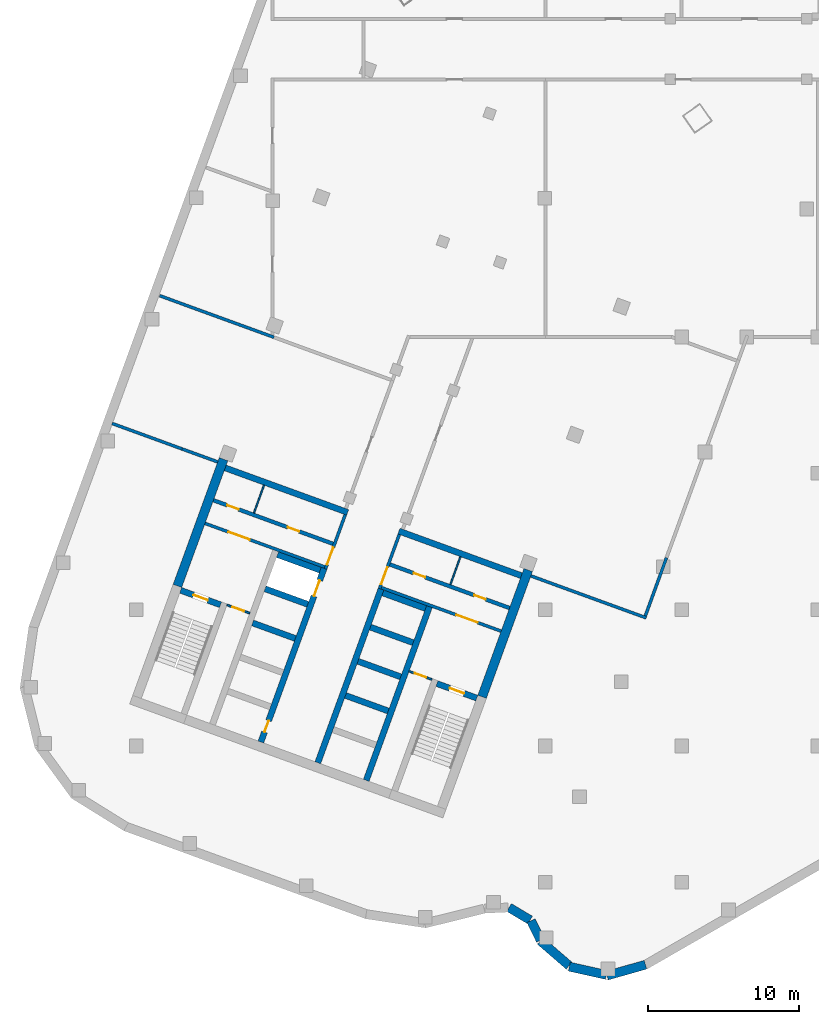
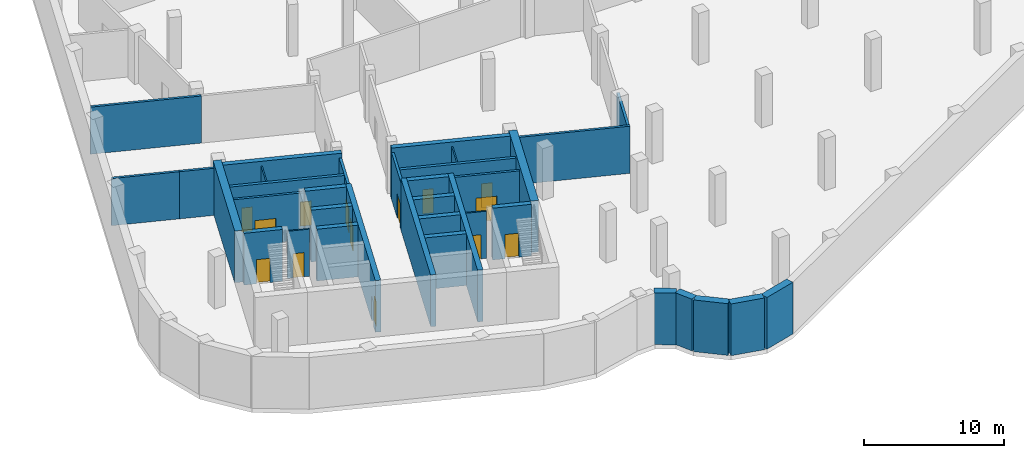
# One storey, part 3 of 16: 36 walls, 14 doors, 14 openings.
"""IFC4 building model written with IfcOpenShell, lengths in metres."""

import ifcopenshell
import ifcopenshell.guid

model = None  # the IFC model being written
_history = None  # IfcOwnerHistory: only IFC2X3 demands one
_inside = {}  # id of a spatial element -> (the spatial element, [elements in it])
_under = {}  # id of a project, library or spatial element -> (it, [spatial elements below it])
_declared = {}  # id of a project -> (the project, [libraries it declares])
_typed = {}  # id of a type object -> (the type object, [elements of that type])
_made_of = {}  # id of a material, layer set ... -> (it, [elements and type objects made of it])


def new_model(schema):
    """Start an empty IFC model of exactly this schema.

    Asked for "IFC4X3", IfcOpenShell would pick the latest addendum, in which some entities
    have other attributes; the version numbers below select the first issue.
    IFC2X3 requires an IfcOwnerHistory on every rooted entity: one is made here for all.
    """
    global model, _history
    if schema == "IFC4X3":
        model = ifcopenshell.file(schema_version=(4, 3, 0, 0))
    else:
        model = ifcopenshell.file(schema=schema)
    _inside.clear()
    _under.clear()
    _declared.clear()
    _typed.clear()
    _made_of.clear()
    _history = None
    if model.schema == "IFC2X3":
        org = make("IfcOrganization", Name="unknown")
        user = make(
            "IfcPersonAndOrganization",
            ThePerson=make("IfcPerson", FamilyName="unknown"),
            TheOrganization=org,
        )
        app = make(
            "IfcApplication",
            ApplicationDeveloper=org,
            Version="unknown",
            ApplicationFullName="unknown",
            ApplicationIdentifier="unknown",
        )
        _history = make(
            "IfcOwnerHistory",
            OwningUser=user,
            OwningApplication=app,
            ChangeAction="ADDED",
            CreationDate=0,
        )
    return model


def make(cls, **values):
    """One entity of the class cls with the attributes given. An attribute that is None is left unset."""
    return model.create_entity(
        cls, **{name: value for name, value in values.items() if value is not None}
    )


def rooted(cls, **values):
    """An entity with a GlobalId (a new one), such as an element, a storey or a relation."""
    return make(cls, GlobalId=ifcopenshell.guid.new(), OwnerHistory=_history, **values)


def si_unit(unit_type, name, prefix=None):
    """IfcSIUnit, for example si_unit("LENGTHUNIT", "METRE", prefix="MILLI")."""
    return make("IfcSIUnit", UnitType=unit_type, Prefix=prefix, Name=name)


def assignment(units):
    """IfcUnitAssignment: the units of a project."""
    return None if units is None else make("IfcUnitAssignment", Units=units)


def point(xyz):
    """IfcCartesianPoint."""
    return None if xyz is None else make("IfcCartesianPoint", Coordinates=xyz)


def direction(xyz):
    """IfcDirection."""
    return None if xyz is None else make("IfcDirection", DirectionRatios=xyz)


def frame(location, z_axis=None, x_axis=None):
    """IfcAxis2Placement3D, a coordinate frame: its origin and axes. An axis left out is left unset."""
    return make(
        "IfcAxis2Placement3D",
        Location=point(location),
        Axis=direction(z_axis),
        RefDirection=direction(x_axis),
    )


def frame_2d(location, x_axis=None):
    """IfcAxis2Placement2D, a coordinate frame in the plane: its origin and x axis."""
    return make(
        "IfcAxis2Placement2D", Location=point(location), RefDirection=direction(x_axis)
    )


def origin():
    """The frame at (0, 0, 0) with its axes left unset."""
    return frame((0.0, 0.0, 0.0))


def place(relative_to, where):
    """IfcLocalPlacement: puts the frame where relative to a parent placement (None: the world)."""
    return make(
        "IfcLocalPlacement", PlacementRelTo=relative_to, RelativePlacement=where
    )


def context(
    kind, dimensions, precision=None, world=None, true_north=None, identifier=None
):
    """IfcGeometricRepresentationContext, for example the 3D "Model" context."""
    return make(
        "IfcGeometricRepresentationContext",
        ContextIdentifier=identifier,
        ContextType=kind,
        CoordinateSpaceDimension=dimensions,
        Precision=precision,
        WorldCoordinateSystem=world,
        TrueNorth=true_north,
    )


def subcontext(parent, identifier, kind, view, scale=None):
    """IfcGeometricRepresentationSubContext, for example "Body" below "Model"."""
    return make(
        "IfcGeometricRepresentationSubContext",
        ContextIdentifier=identifier,
        ContextType=kind,
        ParentContext=parent,
        TargetScale=scale,
        TargetView=view,
    )


def project(units=None, contexts=None):
    """IfcProject with its units and contexts."""
    return rooted(
        "IfcProject",
        Name="project",
        RepresentationContexts=contexts,
        UnitsInContext=assignment(units),
    )


def spatial(cls, under=None, at=None, **own):
    """A site, building, storey or space (cls), placed at a placement, below another one or the project."""
    s = rooted(cls, ObjectPlacement=at, **own)
    if under is not None:
        _under.setdefault(under.id(), (under, []))[1].append(s)
    return s


def profile(cls, at=None, kind="AREA", **sizes):
    """A parametric profile (cls). Its sizes go by their IFC names, for example OverallWidth=200.0."""
    return make(cls, ProfileType=kind, Position=at, **sizes)


def rectangle(**sizes):
    """IfcRectangleProfileDef."""
    return profile("IfcRectangleProfileDef", **sizes)


def extrude(swept, where, along, depth):
    """IfcExtrudedAreaSolid: the profile swept, set in the frame where, extruded along a direction by depth."""
    return make(
        "IfcExtrudedAreaSolid",
        SweptArea=swept,
        Position=where,
        ExtrudedDirection=direction(along),
        Depth=depth,
    )


def shape(context_of_items, identifier, shape_type, items):
    """IfcShapeRepresentation: the items that make up one representation, for example the "Body"."""
    return make(
        "IfcShapeRepresentation",
        ContextOfItems=context_of_items,
        RepresentationIdentifier=identifier,
        RepresentationType=shape_type,
        Items=items,
    )


def material(Name=None, Category=None):
    """IfcMaterial."""
    return make("IfcMaterial", Name=Name, Category=Category)


def layer(
    of_material, thickness, ventilated=None, Name=None, Category=None, Priority=None
):
    """IfcMaterialLayer: one layer of a wall or slab, of a material (None: an air gap)."""
    return make(
        "IfcMaterialLayer",
        Material=of_material,
        LayerThickness=thickness,
        IsVentilated=ventilated,
        Name=Name,
        Category=Category,
        Priority=Priority,
    )


def layer_set(layers, Name=None):
    """IfcMaterialLayerSet."""
    return make("IfcMaterialLayerSet", MaterialLayers=layers, LayerSetName=Name)


def made_of(thing, what):
    """Note that an element or type object is made of a material, layer set ...; save() writes the relation."""
    if what is not None:
        _made_of.setdefault(what.id(), (what, []))[1].append(thing)
    return thing


def type_object(cls, material=None, **own):
    """A type object (cls), such as IfcWallType, which elements share."""
    return made_of(rooted(cls, **own), material)


def element(
    cls,
    number,
    at=None,
    inside=None,
    cuts=None,
    type_object=None,
    material=None,
    context=None,
    identifier="Body",
    shape_type=None,
    held_by="IfcProductDefinitionShape",
    body=None,
    shapes=None,
    **own,
):
    """One element of the class cls, such as IfcWall. Its Tag is "e" and its number.

    at: its placement. inside: the storey or other place that contains it. cuts: it is an
    opening in that element (IfcRelVoidsElement). A single representation is given by context,
    identifier, shape_type and body (its items); several are given by shapes. held_by: the class
    of the entity that holds the representations. save() writes the other relations.
    """
    e = rooted(cls, Tag="e%d" % number, ObjectPlacement=at, **own)
    if body is not None:
        shapes = [shape(context, identifier, shape_type, body)]
    if shapes is not None:
        e.Representation = make(held_by, Representations=shapes)
    if inside is not None:
        _inside.setdefault(inside.id(), (inside, []))[1].append(e)
    if cuts is not None:
        rooted(
            "IfcRelVoidsElement", RelatingBuildingElement=cuts, RelatedOpeningElement=e
        )
    if type_object is not None:
        _typed.setdefault(type_object.id(), (type_object, []))[1].append(e)
    return made_of(e, material)


def fill(opening, filler):
    """IfcRelFillsElement: the door or window that sits in an opening."""
    return rooted(
        "IfcRelFillsElement",
        RelatingOpeningElement=opening,
        RelatedBuildingElement=filler,
    )


def aggregate(whole, parts):
    """IfcRelAggregates: a whole, such as a stair, and the parts it consists of."""
    return rooted("IfcRelAggregates", RelatingObject=whole, RelatedObjects=parts)


def save(model, path):
    """Write the relations noted so far, then the file.

    IfcRelAggregates (storeys below a building ...), IfcRelContainedInSpatialStructure (elements
    in a storey), IfcRelDefinesByType, IfcRelAssociatesMaterial and IfcRelDeclares: one each for
    every whole, place, type object, material and project.
    """
    for whole, parts in _under.values():
        aggregate(whole, parts)
    for where, things in _inside.values():
        rooted(
            "IfcRelContainedInSpatialStructure",
            RelatedElements=things,
            RelatingStructure=where,
        )
    for kind, things in _typed.values():
        rooted("IfcRelDefinesByType", RelatedObjects=things, RelatingType=kind)
    for what, things in _made_of.values():
        rooted("IfcRelAssociatesMaterial", RelatedObjects=things, RelatingMaterial=what)
    for by, libraries in _declared.values():
        rooted("IfcRelDeclares", RelatingContext=by, RelatedDefinitions=libraries)
    model.write(path)


model = new_model("IFC4")

# Units and contexts
model_context = context("Model", 3, precision=1e-05, world=origin(), true_north=direction((0.0, 1.0)))
body_context = subcontext(model_context, "Body", "Model", "MODEL_VIEW")
ifc_project = project(units=[si_unit("LENGTHUNIT", "METRE"), si_unit("AREAUNIT", "SQUARE_METRE"), si_unit("VOLUMEUNIT", "CUBIC_METRE"), si_unit("PLANEANGLEUNIT", "RADIAN"), si_unit("MASSUNIT", "GRAM", prefix="KILO")], contexts=[model_context])

# Site, building, storey
site_placement = place(None, origin())
site = spatial("IfcSite", under=ifc_project, at=site_placement, CompositionType="ELEMENT")
building_placement = place(site_placement, origin())
building = spatial("IfcBuilding", under=site, at=building_placement, Name="Skarvind Civic Tower", CompositionType="ELEMENT")
storey_placement = place(building_placement, frame((0.0, 0.0, -4.5)))
storey = spatial("IfcBuildingStorey", under=building, at=storey_placement, Name="B1", CompositionType="ELEMENT", Elevation=-4.5)

# Walls
ifc_material_1 = material(Name="Concrete C40", Category="concrete")
ifc_layer_1 = layer(ifc_material_1, 0.60009765625)
ifc_layer_set_1 = layer_set([ifc_layer_1], Name="Basement retaining wall 600 C40")
wall_type_1 = type_object("IfcWallType", Name="Basement retaining wall 600 C40", PredefinedType="SHEAR", material=ifc_layer_set_1)
wall_1_placement = place(storey_placement, frame((52.61181640625, 67.563232421875, 0.0), z_axis=(0.0, 0.0, 1.0), x_axis=(-0.962094751735, -0.272715398693, 0.0)))
element("IfcWall", 1, at=wall_1_placement, inside=storey, type_object=wall_type_1, Name="Basement retaining wall B1 1", PredefinedType="SHEAR", context=body_context, shape_type="SweptSolid", body=[
    extrude(rectangle(XDim=2.63720703125, YDim=0.60009765625, at=frame_2d((1.318603515625, 0.0))), origin(), (0.0, 0.0, 1.0), 4.5),
])
for number, where, z_axis, x_axis, name in (
    (2, (50.026123046875, 66.891845703125, 0.0), (0.0, 0.0, 1.0), (-0.976164051625, 0.217033970416, 0.0), "Basement retaining wall B1 2"),
    (3, (47.568603515625, 67.498779296875, 0.0), (0.0, 0.0, 1.0), (-0.755795518898, 0.654807707357, 0.0), "Basement retaining wall B1 3"),
):
    element("IfcWall", number, at=place(storey_placement, frame(where, z_axis=z_axis, x_axis=x_axis)), inside=storey, type_object=wall_type_1, Name=name, PredefinedType="SHEAR", context=body_context, shape_type="SweptSolid", body=[
        extrude(rectangle(XDim=2.497314453125, YDim=0.60009765625, at=frame_2d((1.24853515625, 0.0))), origin(), (0.0, 0.0, 1.0), 4.5),
    ])
wall_2_placement = place(storey_placement, frame((45.689208984375, 69.1728515625, 0.0), z_axis=(0.0, 0.0, 1.0), x_axis=(-0.435706421579, 0.900088836835, 0.0)))
element("IfcWall", 4, at=wall_2_placement, inside=storey, type_object=wall_type_1, Name="Basement retaining wall B1 4", PredefinedType="SHEAR", context=body_context, shape_type="SweptSolid", body=[
    extrude(rectangle(XDim=1.447265625, YDim=0.60009765625, at=frame_2d((0.7236328125, 0.0))), origin(), (0.0, 0.0, 1.0), 4.5),
])
wall_3_placement = place(storey_placement, frame((44.998291015625, 70.511474609375, 0.0), z_axis=(0.0, 0.0, 1.0), x_axis=(-0.859405023985, 0.511295418275, 0.0)))
element("IfcWall", 5, at=wall_3_placement, inside=storey, type_object=wall_type_1, Name="Basement retaining wall B1 5", PredefinedType="SHEAR", context=body_context, shape_type="SweptSolid", body=[
    extrude(rectangle(XDim=1.6171875, YDim=0.60009765625, at=frame_2d((0.80859375, 0.0))), origin(), (0.0, 0.0, 1.0), 4.5),
])

# Wall, opening, door
ifc_material_2 = material(Name="Fire-rated masonry partition", Category="masonry")
ifc_layer_2 = layer(ifc_material_2, 0.199951171875)
ifc_layer_set_2 = layer_set([ifc_layer_2], Name="Core enclosure wall 200")
wall_type_2 = type_object("IfcWallType", Name="Core enclosure wall 200", PredefinedType="PARTITIONING", material=ifc_layer_set_2)
wall_4_placement = place(storey_placement, frame((31.491455078125, 93.693359375, 0.0), z_axis=(0.0, 0.0, 1.0), x_axis=(0.341995824804, 0.939701471648, 0.0)))
wall_4 = element("IfcWall", 6, at=wall_4_placement, inside=storey, type_object=wall_type_2, Name="Core wall C2", PredefinedType="PARTITIONING", context=body_context, shape_type="SweptSolid", body=[
    extrude(rectangle(XDim=3.800048828125, YDim=0.199951171875, at=frame_2d((1.89990234375, 0.0))), origin(), (0.0, 0.0, 1.0), 4.10009765625),
])
opening_1_placement = place(wall_4_placement, frame((0.300048828125, 0.0, 0.0)))
opening_1 = element("IfcOpeningElement", 7, at=opening_1_placement, cuts=wall_4, Name="Opening D-B1-C2-03", PredefinedType="OPENING", context=body_context, shape_type="SweptSolid", body=[
    extrude(rectangle(XDim=1.199951171875, YDim=2.10009765625, at=frame_2d((0.60009765625, 1.050048828125))), frame((0.0, 0.10986328125, 0.0), z_axis=(0.0, -1.0, 0.0), x_axis=(1.0, 0.0, 0.0)), (0.0, 0.0, 1.0), 0.219970703125),
])
ifc_material_3 = material(Name="Fire-rated steel door", Category="steel")
door_type_1 = type_object("IfcDoorType", Name="Core lobby door 1200", OperationType="NOTDEFINED", PredefinedType="DOOR", material=ifc_material_3)
door_1_placement = place(opening_1_placement, origin())
door_1 = element("IfcDoor", 8, at=door_1_placement, inside=storey, type_object=door_type_1, Name="Fire door", OperationType="DOUBLE_DOOR_SINGLE_SWING", OverallHeight=2.10009765625, OverallWidth=1.199951171875, PredefinedType="DOOR", context=body_context, shape_type="SweptSolid", body=[
    extrude(rectangle(XDim=1.199951171875, YDim=2.10009765625, at=frame_2d((0.60009765625, 1.050048828125))), frame((0.0, 0.02490234375, 0.0), z_axis=(0.0, -1.0, 0.0), x_axis=(1.0, 0.0, 0.0)), (0.0, 0.0, 1.0), 0.050048828125),
])
fill(opening_1, door_1)

wall_5_placement = place(storey_placement, frame((23.5380859375, 96.6943359375, 0.0), z_axis=(0.0, 0.0, 1.0), x_axis=(0.939691552312, -0.342023078919, 0.0)))
wall_5 = element("IfcWall", 9, at=wall_5_placement, inside=storey, type_object=wall_type_2, Name="Core wall C2", PredefinedType="PARTITIONING", context=body_context, shape_type="SweptSolid", body=[
    extrude(rectangle(XDim=8.400146484375, YDim=0.199951171875, at=frame_2d((4.2001953125, 0.0))), origin(), (0.0, 0.0, 1.0), 4.10009765625),
])
opening_2_placement = place(wall_5_placement, frame((1.64990234375, 0.0, 0.0)))
opening_2 = element("IfcOpeningElement", 10, at=opening_2_placement, cuts=wall_5, Name="Opening D-B1-C2-04", PredefinedType="OPENING", context=body_context, shape_type="SweptSolid", body=[
    extrude(rectangle(XDim=1.5, YDim=2.10009765625, at=frame_2d((0.75, 1.050048828125))), frame((0.0, 0.10986328125, 0.0), z_axis=(0.0, -1.0, 0.0), x_axis=(1.0, 0.0, 0.0)), (0.0, 0.0, 1.0), 0.219970703125),
])
door_type_2 = type_object("IfcDoorType", Name="Fire door 1500", OperationType="NOTDEFINED", PredefinedType="DOOR", material=ifc_material_3)
door_2_placement = place(opening_2_placement, origin())
door_2 = element("IfcDoor", 11, at=door_2_placement, inside=storey, type_object=door_type_2, Name="Fire door", OperationType="DOUBLE_DOOR_SINGLE_SWING", OverallHeight=2.10009765625, OverallWidth=1.5, PredefinedType="DOOR", context=body_context, shape_type="SweptSolid", body=[
    extrude(rectangle(XDim=1.5, YDim=2.10009765625, at=frame_2d((0.75, 1.050048828125))), frame((0.0, 0.02490234375, 0.0), z_axis=(0.0, -1.0, 0.0), x_axis=(1.0, 0.0, 0.0)), (0.0, 0.0, 1.0), 0.050048828125),
])
fill(opening_2, door_2)

wall_6_placement = place(storey_placement, frame((36.36181640625, 95.96435546875, 0.0), z_axis=(0.0, 0.0, 1.0), x_axis=(-0.341995824804, -0.939701471648, 0.0)))
wall_6 = element("IfcWall", 12, at=wall_6_placement, inside=storey, type_object=wall_type_2, Name="Core wall C2", PredefinedType="PARTITIONING", context=body_context, shape_type="SweptSolid", body=[
    extrude(rectangle(XDim=3.800048828125, YDim=0.199951171875, at=frame_2d((1.89990234375, 0.0))), origin(), (0.0, 0.0, 1.0), 4.10009765625),
])
opening_3_placement = place(wall_6_placement, frame((2.300048828125, 0.0, 0.0)))
opening_3 = element("IfcOpeningElement", 13, at=opening_3_placement, cuts=wall_6, Name="Opening D-B1-C2-09", PredefinedType="OPENING", context=body_context, shape_type="SweptSolid", body=[
    extrude(rectangle(XDim=1.199951171875, YDim=2.10009765625, at=frame_2d((0.60009765625, 1.050048828125))), frame((0.0, 0.10986328125, 0.0), z_axis=(0.0, -1.0, 0.0), x_axis=(1.0, 0.0, 0.0)), (0.0, 0.0, 1.0), 0.219970703125),
])
door_3_placement = place(opening_3_placement, origin())
door_3 = element("IfcDoor", 14, at=door_3_placement, inside=storey, type_object=door_type_1, Name="Fire door", OperationType="DOUBLE_DOOR_SINGLE_SWING", OverallHeight=2.10009765625, OverallWidth=1.199951171875, PredefinedType="DOOR", context=body_context, shape_type="SweptSolid", body=[
    extrude(rectangle(XDim=1.199951171875, YDim=2.10009765625, at=frame_2d((0.60009765625, 1.050048828125))), frame((0.0, 0.02490234375, 0.0), z_axis=(0.0, -1.0, 0.0), x_axis=(1.0, 0.0, 0.0)), (0.0, 0.0, 1.0), 0.050048828125),
])
fill(opening_3, door_3)

wall_7_placement = place(storey_placement, frame((35.1904296875, 92.453369140625, 0.0), z_axis=(0.0, 0.0, 1.0), x_axis=(0.939691552312, -0.342023078919, 0.0)))
wall_7 = element("IfcWall", 15, at=wall_7_placement, inside=storey, type_object=wall_type_2, Name="Core wall C2", PredefinedType="PARTITIONING", context=body_context, shape_type="SweptSolid", body=[
    extrude(rectangle(XDim=8.400146484375, YDim=0.199951171875, at=frame_2d((4.2001953125, 0.0))), origin(), (0.0, 0.0, 1.0), 4.10009765625),
])
opening_4_placement = place(wall_7_placement, frame((5.25, 0.0, 0.0)))
opening_4 = element("IfcOpeningElement", 16, at=opening_4_placement, cuts=wall_7, Name="Opening D-B1-C2-10", PredefinedType="OPENING", context=body_context, shape_type="SweptSolid", body=[
    extrude(rectangle(XDim=1.5, YDim=2.10009765625, at=frame_2d((0.75, 1.050048828125))), frame((0.0, 0.10986328125, 0.0), z_axis=(0.0, -1.0, 0.0), x_axis=(1.0, 0.0, 0.0)), (0.0, 0.0, 1.0), 0.219970703125),
])
door_4_placement = place(opening_4_placement, origin())
door_4 = element("IfcDoor", 17, at=door_4_placement, inside=storey, type_object=door_type_2, Name="Fire door", OperationType="DOUBLE_DOOR_SINGLE_SWING", OverallHeight=2.10009765625, OverallWidth=1.5, PredefinedType="DOOR", context=body_context, shape_type="SweptSolid", body=[
    extrude(rectangle(XDim=1.5, YDim=2.10009765625, at=frame_2d((0.75, 1.050048828125))), frame((0.0, 0.02490234375, 0.0), z_axis=(0.0, -1.0, 0.0), x_axis=(1.0, 0.0, 0.0)), (0.0, 0.0, 1.0), 0.050048828125),
])
fill(opening_4, door_4)

# Walls
ifc_material_4 = material(Name="Fire-rated plasterboard partition")
ifc_layer_3 = layer(ifc_material_4, 0.10009765625)
ifc_layer_set_3 = layer_set([ifc_layer_3], Name="Core partition wall 100")
wall_type_3 = type_object("IfcWallType", Name="Core partition wall 100", PredefinedType="PARTITIONING", material=ifc_layer_set_3)
wall_8_placement = place(storey_placement, frame((26.767822265625, 97.381103515625, 0.0), z_axis=(0.0, 0.0, 1.0), x_axis=(0.342024501273, 0.939691034611, 0.0)))
element("IfcWall", 18, at=wall_8_placement, inside=storey, type_object=wall_type_3, Name="Core wall C2", PredefinedType="PARTITIONING", context=body_context, shape_type="SweptSolid", body=[
    extrude(rectangle(XDim=1.9501953125, YDim=0.10009765625, at=frame_2d((0.97509765625, 0.0))), origin(), (0.0, 0.0, 1.0), 4.10009765625),
])
wall_9_placement = place(storey_placement, frame((40.402587890625, 94.49365234375, 0.0), z_axis=(0.0, 0.0, 1.0), x_axis=(-0.342064742067, -0.939676386973, 0.0)))
element("IfcWall", 19, at=wall_9_placement, inside=storey, type_object=wall_type_3, Name="Core wall C2", PredefinedType="PARTITIONING", context=body_context, shape_type="SweptSolid", body=[
    extrude(rectangle(XDim=1.949951171875, YDim=0.10009765625, at=frame_2d((0.97509765625, 0.0))), origin(), (0.0, 0.0, 1.0), 4.10009765625),
])

# Wall, opening, door
ifc_material_5 = material(Name="Concrete C80", Category="concrete")
ifc_layer_4 = layer(ifc_material_5, 0.39990234375)
ifc_layer_set_4 = layer_set([ifc_layer_4], Name="Core wall 400 C80")
wall_type_4 = type_object("IfcWallType", Name="Core wall 400 C80", PredefinedType="SHEAR", material=ifc_layer_set_4)
wall_10_placement = place(storey_placement, frame((41.476318359375, 85.163818359375, 0.0), z_axis=(0.0, 0.0, 1.0), x_axis=(-0.939678810556, 0.342058084236, 0.0)))
wall_10 = element("IfcWall", 20, at=wall_10_placement, inside=storey, type_object=wall_type_4, Name="Core wall C2 south stair end B1", PredefinedType="SHEAR", context=body_context, shape_type="SweptSolid", body=[
    extrude(rectangle(XDim=2.800048828125, YDim=0.39990234375, at=frame_2d((1.39990234375, 0.0))), origin(), (0.0, 0.0, 1.0), 4.5),
])
opening_5_placement = place(wall_10_placement, frame((0.89990234375, 0.0, 0.0)))
opening_5 = element("IfcOpeningElement", 21, at=opening_5_placement, cuts=wall_10, Name="Opening D-B1-C2-11", PredefinedType="OPENING", context=body_context, shape_type="SweptSolid", body=[
    extrude(rectangle(XDim=1.0, YDim=2.10009765625, at=frame_2d((0.5, 1.050048828125))), frame((0.0, 0.2099609375, 0.0), z_axis=(0.0, -1.0, 0.0), x_axis=(1.0, 0.0, 0.0)), (0.0, 0.0, 1.0), 0.419921875),
])
door_type_3 = type_object("IfcDoorType", Name="Fire door 1000", OperationType="NOTDEFINED", PredefinedType="DOOR", material=ifc_material_3)
door_5_placement = place(opening_5_placement, origin())
door_5 = element("IfcDoor", 22, at=door_5_placement, inside=storey, type_object=door_type_3, Name="Fire door", OperationType="SINGLE_SWING_RIGHT", OverallHeight=2.10009765625, OverallWidth=1.0, PredefinedType="DOOR", context=body_context, shape_type="SweptSolid", body=[
    extrude(rectangle(XDim=1.0, YDim=2.10009765625, at=frame_2d((0.5, 1.050048828125))), frame((0.0, 0.02490234375, 0.0), z_axis=(0.0, -1.0, 0.0), x_axis=(1.0, 0.0, 0.0)), (0.0, 0.0, 1.0), 0.050048828125),
])
fill(opening_5, door_5)

wall_11_placement = place(storey_placement, frame((24.56201171875, 91.3203125, 0.0), z_axis=(0.0, 0.0, 1.0), x_axis=(-0.939717030584, 0.341953070509, 0.0)))
wall_11 = element("IfcWall", 23, at=wall_11_placement, inside=storey, type_object=wall_type_4, Name="Core wall C2 north stair end B1", PredefinedType="SHEAR", context=body_context, shape_type="SweptSolid", body=[
    extrude(rectangle(XDim=2.800048828125, YDim=0.39990234375, at=frame_2d((1.39990234375, 0.0))), origin(), (0.0, 0.0, 1.0), 4.5),
])
opening_6_placement = place(wall_11_placement, frame((0.89990234375, 0.0, 0.0)))
opening_6 = element("IfcOpeningElement", 24, at=opening_6_placement, cuts=wall_11, Name="Opening D-B1-C2-05", PredefinedType="OPENING", context=body_context, shape_type="SweptSolid", body=[
    extrude(rectangle(XDim=1.0, YDim=2.10009765625, at=frame_2d((0.5, 1.050048828125))), frame((0.0, 0.2099609375, 0.0), z_axis=(0.0, -1.0, 0.0), x_axis=(1.0, 0.0, 0.0)), (0.0, 0.0, 1.0), 0.419921875),
])
door_6_placement = place(opening_6_placement, origin())
door_6 = element("IfcDoor", 25, at=door_6_placement, inside=storey, type_object=door_type_3, Name="Fire door", OperationType="SINGLE_SWING_LEFT", OverallHeight=2.10009765625, OverallWidth=1.0, PredefinedType="DOOR", context=body_context, shape_type="SweptSolid", body=[
    extrude(rectangle(XDim=1.0, YDim=2.10009765625, at=frame_2d((0.5, 1.050048828125))), frame((0.0, 0.02490234375, 0.0), z_axis=(0.0, -1.0, 0.0), x_axis=(1.0, 0.0, 0.0)), (0.0, 0.0, 1.0), 0.050048828125),
])
fill(opening_6, door_6)

# Walls
wall_12_placement = place(storey_placement, frame((30.983642578125, 80.895263671875, 0.0), z_axis=(0.0, 0.0, 1.0), x_axis=(0.342021021735, 0.939692301071, 0.0)))
element("IfcWall", 26, at=wall_12_placement, inside=storey, type_object=wall_type_4, Name="Core wall C2 south lift row front B1", PredefinedType="SHEAR", context=body_context, shape_type="SweptSolid", body=[
    extrude(rectangle(XDim=12.199951171875, YDim=0.39990234375, at=frame_2d((6.10009765625, 0.0))), origin(), (0.0, 0.0, 1.0), 4.5),
])
wall_13_placement = place(storey_placement, frame((34.178466796875, 79.732177734375, 0.0), z_axis=(0.0, 0.0, 1.0), x_axis=(0.342014590177, 0.939694641948, 0.0)))
element("IfcWall", 27, at=wall_13_placement, inside=storey, type_object=wall_type_4, Name="Core wall C2 south lift row back B1", PredefinedType="SHEAR", context=body_context, shape_type="SweptSolid", body=[
    extrude(rectangle(XDim=12.2001953125, YDim=0.39990234375, at=frame_2d((6.10009765625, 0.0))), origin(), (0.0, 0.0, 1.0), 4.5),
])
for number, where, z_axis, x_axis, name in (
    (28, (35.63232421875, 84.311279296875, 0.0), (0.0, 0.0, 1.0), (-0.939712609717, 0.341965219194, 0.0), "Core wall C2 south lift row division 2 B1"),
    (29, (36.453125, 86.56640625, 0.0), (0.0, 0.0, 1.0), (-0.939686455819, 0.342037080957, 0.0), "Core wall C2 south lift row division 3 B1"),
    (30, (37.27392578125, 88.82177734375, 0.0), (0.0, 0.0, 1.0), (-0.939686455819, 0.342037080957, 0.0), "Core wall C2 south lift row division 4 B1"),
):
    element("IfcWall", number, at=place(storey_placement, frame(where, z_axis=z_axis, x_axis=x_axis)), inside=storey, type_object=wall_type_4, Name=name, PredefinedType="SHEAR", context=body_context, shape_type="SweptSolid", body=[
        extrude(rectangle(XDim=3.0, YDim=0.39990234375, at=frame_2d((1.5, 0.0))), origin(), (0.0, 0.0, 1.0), 4.5),
    ])
wall_14_placement = place(storey_placement, frame((38.0947265625, 91.076904296875, 0.0), z_axis=(0.0, 0.0, 1.0), x_axis=(-0.939676934218, 0.342063238742, 0.0)))
element("IfcWall", 31, at=wall_14_placement, inside=storey, type_object=wall_type_4, Name="Core wall C2 south lift row division 5 B1", PredefinedType="SHEAR", context=body_context, shape_type="SweptSolid", body=[
    extrude(rectangle(XDim=2.999755859375, YDim=0.39990234375, at=frame_2d((1.5, 0.0))), origin(), (0.0, 0.0, 1.0), 4.5),
])

# Wall, openings, doors
wall_15_placement = place(storey_placement, frame((27.224853515625, 82.26318359375, 0.0), z_axis=(0.0, 0.0, 1.0), x_axis=(0.342014590177, 0.939694641948, 0.0)))
wall_15 = element("IfcWall", 32, at=wall_15_placement, inside=storey, type_object=wall_type_4, Name="Core wall C2 north lift row front B1", PredefinedType="SHEAR", context=body_context, shape_type="SweptSolid", body=[
    extrude(rectangle(XDim=12.2001953125, YDim=0.39990234375, at=frame_2d((6.10009765625, 0.0))), origin(), (0.0, 0.0, 1.0), 4.5),
])
opening_7_placement = place(wall_15_placement, frame((10.25, 0.0, 0.0)))
opening_7 = element("IfcOpeningElement", 33, at=opening_7_placement, cuts=wall_15, Name="Opening LD01205", PredefinedType="OPENING", context=body_context, shape_type="SweptSolid", body=[
    extrude(rectangle(XDim=1.10009765625, YDim=2.10009765625, at=frame_2d((0.550048828125, 1.050048828125))), frame((0.0, 0.2099609375, 0.0), z_axis=(0.0, -1.0, 0.0), x_axis=(1.0, 0.0, 0.0)), (0.0, 0.0, 1.0), 0.419921875),
])
opening_8_placement = place(wall_15_placement, frame((0.699951171875, 0.0, 0.0)))
opening_8 = element("IfcOpeningElement", 34, at=opening_8_placement, cuts=wall_15, Name="Opening D-B1-C2-02", PredefinedType="OPENING", context=body_context, shape_type="SweptSolid", body=[
    extrude(rectangle(XDim=0.800048828125, YDim=2.10009765625, at=frame_2d((0.39990234375, 1.050048828125))), frame((0.0, 0.2099609375, 0.0), z_axis=(0.0, -1.0, 0.0), x_axis=(1.0, 0.0, 0.0)), (0.0, 0.0, 1.0), 0.419921875),
])
door_type_4 = type_object("IfcDoorType", Name="Core riser door 800", OperationType="NOTDEFINED", PredefinedType="DOOR", material=ifc_material_3)
door_7_placement = place(opening_8_placement, origin())
door_7 = element("IfcDoor", 35, at=door_7_placement, inside=storey, type_object=door_type_4, Name="Riser door", OperationType="SINGLE_SWING_LEFT", OverallHeight=2.10009765625, OverallWidth=0.800048828125, PredefinedType="DOOR", context=body_context, shape_type="SweptSolid", body=[
    extrude(rectangle(XDim=0.800048828125, YDim=2.10009765625, at=frame_2d((0.39990234375, 1.050048828125))), frame((0.0, 0.02490234375, 0.0), z_axis=(0.0, -1.0, 0.0), x_axis=(1.0, 0.0, 0.0)), (0.0, 0.0, 1.0), 0.050048828125),
])
fill(opening_8, door_7)
ifc_material_6 = material(Name="Stainless steel landing door", Category="steel")
door_type_5 = type_object("IfcDoorType", Name="Lift landing door 1100", OperationType="DOUBLE_DOOR_SLIDING", PredefinedType="DOOR", material=ifc_material_6)
door_8_placement = place(opening_7_placement, origin())
door_8 = element("IfcDoor", 36, at=door_8_placement, inside=storey, type_object=door_type_5, Name="Lift landing door", OperationType="DOUBLE_DOOR_SLIDING", OverallHeight=2.10009765625, OverallWidth=1.10009765625, PredefinedType="DOOR", context=body_context, shape_type="SweptSolid", body=[
    extrude(rectangle(XDim=1.10009765625, YDim=2.10009765625, at=frame_2d((0.550048828125, 1.050048828125))), frame((0.0, 0.02490234375, 0.0), z_axis=(0.0, -1.0, 0.0), x_axis=(1.0, 0.0, 0.0)), (0.0, 0.0, 1.0), 0.050048828125),
])
fill(opening_7, door_8)

# Walls
for number, where, z_axis, x_axis, name in (
    (37, (29.49951171875, 89.097412109375, 0.0), (0.0, 0.0, 1.0), (-0.939686455819, 0.342037080957, 0.0), "Core wall C2 north lift row division 3 B1"),
    (38, (30.3203125, 91.352783203125, 0.0), (0.0, 0.0, 1.0), (-0.939712609717, 0.341965219194, 0.0), "Core wall C2 north lift row division 4 B1"),
    (39, (31.14111328125, 93.60791015625, 0.0), (0.0, 0.0, 1.0), (-0.939686455819, 0.342037080957, 0.0), "Core wall C2 north lift row division 5 B1"),
):
    element("IfcWall", number, at=place(storey_placement, frame(where, z_axis=z_axis, x_axis=x_axis)), inside=storey, type_object=wall_type_4, Name=name, PredefinedType="SHEAR", context=body_context, shape_type="SweptSolid", body=[
        extrude(rectangle(XDim=3.0, YDim=0.39990234375, at=frame_2d((1.5, 0.0))), origin(), (0.0, 0.0, 1.0), 4.5),
    ])
for number, where, z_axis, x_axis, name in (
    (40, (44.417724609375, 93.2451171875, 0.0), (0.0, 0.0, 1.0), (-0.93969060187, 0.342025690201, 0.0), "Core wall C2 south inner face B1"),
    (41, (32.953369140625, 97.417724609375, 0.0), (0.0, 0.0, 1.0), (-0.93969060187, 0.342025690201, 0.0), "Core wall C2 north inner face B1"),
):
    element("IfcWall", number, at=place(storey_placement, frame(where, z_axis=z_axis, x_axis=x_axis)), inside=storey, type_object=wall_type_4, Name=name, PredefinedType="SHEAR", context=body_context, shape_type="SweptSolid", body=[
        extrude(rectangle(XDim=8.599853515625, YDim=0.39990234375, at=frame_2d((4.2998046875, 0.0))), origin(), (0.0, 0.0, 1.0), 4.5),
    ])
ifc_layer_5 = layer(ifc_material_5, 0.60009765625)
ifc_layer_set_5 = layer_set([ifc_layer_5], Name="Core wall 600 C80")
wall_type_5 = type_object("IfcWallType", Name="Core wall 600 C80", PredefinedType="SHEAR", material=ifc_layer_set_5)
for number, where, z_axis, x_axis, name in (
    (42, (41.82666015625, 85.249267578125, 0.0), (0.0, 0.0, 1.0), (0.342016162452, 0.939694069696, 0.0), "Core wall C2 south side B1"),
    (43, (21.71728515625, 92.568359375, 0.0), (0.0, 0.0, 1.0), (0.342016162452, 0.939694069696, 0.0), "Core wall C2 north side B1"),
):
    element("IfcWall", number, at=place(storey_placement, frame(where, z_axis=z_axis, x_axis=x_axis)), inside=storey, type_object=wall_type_5, Name=name, PredefinedType="SHEAR", context=body_context, shape_type="SweptSolid", body=[
        extrude(rectangle(XDim=8.89990234375, YDim=0.60009765625, at=frame_2d((4.449951171875, 0.0))), origin(), (0.0, 0.0, 1.0), 4.5),
    ])
ifc_material_7 = material(Name="Fire-rated blockwork wall, plastered", Category="masonry")
ifc_layer_6 = layer(ifc_material_7, 0.199951171875)
ifc_layer_set_6 = layer_set([ifc_layer_6], Name="FIRE WALL 200 EI 60")
wall_type_6 = type_object("IfcWallType", Name="FIRE WALL 200 EI 60", PredefinedType="PARTITIONING", material=ifc_layer_set_6)
wall_16_placement = place(storey_placement, frame((17.404052734375, 103.291015625, 0.0), z_axis=(0.0, 0.0, 1.0), x_axis=(0.939686182384, -0.342037832173, 0.0)))
element("IfcWall", 44, at=wall_16_placement, inside=storey, type_object=wall_type_6, Name="Basement partition B1 001", PredefinedType="PARTITIONING", context=body_context, shape_type="SweptSolid", body=[
    extrude(rectangle(XDim=4.9208984375, YDim=0.199951171875, at=frame_2d((2.46044921875, 0.0))), origin(), (0.0, 0.0, 1.0), 4.10009765625),
])
wall_17_placement = place(storey_placement, frame((20.548095703125, 111.72412109375, 0.0), z_axis=(0.0, 0.0, 1.0), x_axis=(0.939669089864, -0.342084787083, 0.0)))
element("IfcWall", 45, at=wall_17_placement, inside=storey, type_object=wall_type_6, Name="Basement partition B1 002", PredefinedType="PARTITIONING", context=body_context, shape_type="SweptSolid", body=[
    extrude(rectangle(XDim=8.0302734375, YDim=0.199951171875, at=frame_2d((4.01513671875, 0.0))), origin(), (0.0, 0.0, 1.0), 4.10009765625),
])
wall_18_placement = place(storey_placement, frame((22.028076171875, 101.60791015625, 0.0), z_axis=(0.0, 0.0, 1.0), x_axis=(0.939559396653, -0.342385952049, 0.0)))
element("IfcWall", 46, at=wall_18_placement, inside=storey, type_object=wall_type_6, Name="Basement partition B1 003", PredefinedType="PARTITIONING", context=body_context, shape_type="SweptSolid", body=[
    extrude(rectangle(XDim=2.5, YDim=0.199951171875, at=frame_2d((1.25, 0.0))), origin(), (0.0, 0.0, 1.0), 4.10009765625),
])
wall_19_placement = place(storey_placement, frame((45.050048828125, 93.22802734375, 0.0), z_axis=(0.0, 0.0, 1.0), x_axis=(0.939696574218, -0.342009281166, 0.0)))
element("IfcWall", 47, at=wall_19_placement, inside=storey, type_object=wall_type_6, Name="Basement partition B1 015", PredefinedType="PARTITIONING", context=body_context, shape_type="SweptSolid", body=[
    extrude(rectangle(XDim=8.099365234375, YDim=0.199951171875, at=frame_2d((4.0498046875, 0.0))), origin(), (0.0, 0.0, 1.0), 4.10009765625),
])
wall_20_placement = place(storey_placement, frame((52.60107421875, 90.5859375, 0.0), z_axis=(0.0, 0.0, 1.0), x_axis=(0.342059390164, 0.939678335177, 0.0)))
element("IfcWall", 48, at=wall_20_placement, inside=storey, type_object=wall_type_6, Name="Basement partition B1 020", PredefinedType="PARTITIONING", context=body_context, shape_type="SweptSolid", body=[
    extrude(rectangle(XDim=4.089599609375, YDim=0.199951171875, at=frame_2d((2.044921875, 0.0))), origin(), (0.0, 0.0, 1.0), 4.10009765625),
])

# Wall, opening, door
ifc_layer_7 = layer(ifc_material_2, 0.125)
ifc_layer_set_7 = layer_set([ifc_layer_7], Name="Riser wall 125")
wall_type_7 = type_object("IfcWallType", Name="Riser wall 125", PredefinedType="PARTITIONING", material=ifc_layer_set_7)
wall_21_placement = place(storey_placement, frame((24.98486328125, 91.3125, 0.0), z_axis=(0.0, 0.0, 1.0), x_axis=(0.939708740826, -0.341975850632, 0.0)))
wall_21 = element("IfcWall", 49, at=wall_21_placement, inside=storey, type_object=wall_type_7, Name="Core wall C2", PredefinedType="PARTITIONING", context=body_context, shape_type="SweptSolid", body=[
    extrude(rectangle(XDim=1.599853515625, YDim=0.125, at=frame_2d((0.7998046875, 0.0))), origin(), (0.0, 0.0, 1.0), 4.10009765625),
])
opening_9_placement = place(wall_21_placement, frame((0.39990234375, 0.0, 0.0)))
opening_9 = element("IfcOpeningElement", 50, at=opening_9_placement, cuts=wall_21, Name="Opening D-B1-C2-06", PredefinedType="OPENING", context=body_context, shape_type="SweptSolid", body=[
    extrude(rectangle(XDim=0.800048828125, YDim=2.10009765625, at=frame_2d((0.39990234375, 1.050048828125))), frame((0.0, 0.072509765625, 0.0), z_axis=(0.0, -1.0, 0.0), x_axis=(1.0, 0.0, 0.0)), (0.0, 0.0, 1.0), 0.14501953125),
])
door_9_placement = place(opening_9_placement, origin())
door_9 = element("IfcDoor", 51, at=door_9_placement, inside=storey, type_object=door_type_4, Name="Riser door", OperationType="SINGLE_SWING_RIGHT", OverallHeight=2.10009765625, OverallWidth=0.800048828125, PredefinedType="DOOR", context=body_context, shape_type="SweptSolid", body=[
    extrude(rectangle(XDim=0.800048828125, YDim=2.10009765625, at=frame_2d((0.39990234375, 1.050048828125))), frame((0.0, 0.02490234375, 0.0), z_axis=(0.0, -1.0, 0.0), x_axis=(1.0, 0.0, 0.0)), (0.0, 0.0, 1.0), 0.050048828125),
])
fill(opening_9, door_9)

wall_22_placement = place(storey_placement, frame((37.012939453125, 86.934814453125, 0.0), z_axis=(0.0, 0.0, 1.0), x_axis=(0.939659694648, -0.342110593602, 0.0)))
wall_22 = element("IfcWall", 52, at=wall_22_placement, inside=storey, type_object=wall_type_7, Name="Core wall C2", PredefinedType="PARTITIONING", context=body_context, shape_type="SweptSolid", body=[
    extrude(rectangle(XDim=1.599853515625, YDim=0.125, at=frame_2d((0.7998046875, 0.0))), origin(), (0.0, 0.0, 1.0), 4.10009765625),
])
opening_10_placement = place(wall_22_placement, frame((0.39990234375, 0.0, 0.0)))
opening_10 = element("IfcOpeningElement", 53, at=opening_10_placement, cuts=wall_22, Name="Opening D-B1-C2-12", PredefinedType="OPENING", context=body_context, shape_type="SweptSolid", body=[
    extrude(rectangle(XDim=0.800048828125, YDim=2.10009765625, at=frame_2d((0.39990234375, 1.050048828125))), frame((0.0, 0.072509765625, 0.0), z_axis=(0.0, -1.0, 0.0), x_axis=(1.0, 0.0, 0.0)), (0.0, 0.0, 1.0), 0.14501953125),
])
door_10_placement = place(opening_10_placement, origin())
door_10 = element("IfcDoor", 54, at=door_10_placement, inside=storey, type_object=door_type_4, Name="Riser door", OperationType="SINGLE_SWING_LEFT", OverallHeight=2.10009765625, OverallWidth=0.800048828125, PredefinedType="DOOR", context=body_context, shape_type="SweptSolid", body=[
    extrude(rectangle(XDim=0.800048828125, YDim=2.10009765625, at=frame_2d((0.39990234375, 1.050048828125))), frame((0.0, 0.02490234375, 0.0), z_axis=(0.0, -1.0, 0.0), x_axis=(1.0, 0.0, 0.0)), (0.0, 0.0, 1.0), 0.050048828125),
])
fill(opening_10, door_10)

# Wall, openings, doors
ifc_layer_8 = layer(ifc_material_2, 0.25)
ifc_layer_set_8 = layer_set([ifc_layer_8], Name="Service block wall 250")
wall_type_8 = type_object("IfcWallType", Name="Service block wall 250", PredefinedType="PARTITIONING", material=ifc_layer_set_8)
wall_23_placement = place(storey_placement, frame((24.093994140625, 98.221435546875, 0.0), z_axis=(0.0, 0.0, 1.0), x_axis=(0.939691552312, -0.342023078919, 0.0)))
wall_23 = element("IfcWall", 55, at=wall_23_placement, inside=storey, type_object=wall_type_8, Name="Core wall C2", PredefinedType="PARTITIONING", context=body_context, shape_type="SweptSolid", body=[
    extrude(rectangle(XDim=8.400146484375, YDim=0.25, at=frame_2d((4.2001953125, 0.0))), origin(), (0.0, 0.0, 1.0), 4.10009765625),
])
opening_11_placement = place(wall_23_placement, frame((5.22509765625, 0.0, 0.0)))
opening_11 = element("IfcOpeningElement", 56, at=opening_11_placement, cuts=wall_23, Name="Opening D-B1-C2-07", PredefinedType="OPENING", context=body_context, shape_type="SweptSolid", body=[
    extrude(rectangle(XDim=0.800048828125, YDim=2.10009765625, at=frame_2d((0.39990234375, 1.050048828125))), frame((0.0, 0.135009765625, 0.0), z_axis=(0.0, -1.0, 0.0), x_axis=(1.0, 0.0, 0.0)), (0.0, 0.0, 1.0), 0.27001953125),
])
opening_12_placement = place(wall_23_placement, frame((0.97509765625, 0.0, 0.0)))
opening_12 = element("IfcOpeningElement", 57, at=opening_12_placement, cuts=wall_23, Name="Opening D-B1-C2-08", PredefinedType="OPENING", context=body_context, shape_type="SweptSolid", body=[
    extrude(rectangle(XDim=0.800048828125, YDim=2.10009765625, at=frame_2d((0.39990234375, 1.050048828125))), frame((0.0, 0.135009765625, 0.0), z_axis=(0.0, -1.0, 0.0), x_axis=(1.0, 0.0, 0.0)), (0.0, 0.0, 1.0), 0.27001953125),
])
door_11_placement = place(opening_11_placement, origin())
door_11 = element("IfcDoor", 58, at=door_11_placement, inside=storey, type_object=door_type_4, Name="Riser door", OperationType="SINGLE_SWING_LEFT", OverallHeight=2.10009765625, OverallWidth=0.800048828125, PredefinedType="DOOR", context=body_context, shape_type="SweptSolid", body=[
    extrude(rectangle(XDim=0.800048828125, YDim=2.10009765625, at=frame_2d((0.39990234375, 1.050048828125))), frame((0.0, 0.02490234375, 0.0), z_axis=(0.0, -1.0, 0.0), x_axis=(1.0, 0.0, 0.0)), (0.0, 0.0, 1.0), 0.050048828125),
])
fill(opening_11, door_11)
door_12_placement = place(opening_12_placement, origin())
door_12 = element("IfcDoor", 59, at=door_12_placement, inside=storey, type_object=door_type_4, Name="Riser door", OperationType="SINGLE_SWING_RIGHT", OverallHeight=2.10009765625, OverallWidth=0.800048828125, PredefinedType="DOOR", context=body_context, shape_type="SweptSolid", body=[
    extrude(rectangle(XDim=0.800048828125, YDim=2.10009765625, at=frame_2d((0.39990234375, 1.050048828125))), frame((0.0, 0.02490234375, 0.0), z_axis=(0.0, -1.0, 0.0), x_axis=(1.0, 0.0, 0.0)), (0.0, 0.0, 1.0), 0.050048828125),
])
fill(opening_12, door_12)

wall_24_placement = place(storey_placement, frame((35.74609375, 93.98046875, 0.0), z_axis=(0.0, 0.0, 1.0), x_axis=(0.939691552312, -0.342023078919, 0.0)))
wall_24 = element("IfcWall", 60, at=wall_24_placement, inside=storey, type_object=wall_type_8, Name="Core wall C2", PredefinedType="PARTITIONING", context=body_context, shape_type="SweptSolid", body=[
    extrude(rectangle(XDim=8.400146484375, YDim=0.25, at=frame_2d((4.2001953125, 0.0))), origin(), (0.0, 0.0, 1.0), 4.10009765625),
])
opening_13_placement = place(wall_24_placement, frame((1.675048828125, 0.0, 0.0)))
opening_13 = element("IfcOpeningElement", 61, at=opening_13_placement, cuts=wall_24, Name="Opening D-B1-C2-13", PredefinedType="OPENING", context=body_context, shape_type="SweptSolid", body=[
    extrude(rectangle(XDim=0.800048828125, YDim=2.10009765625, at=frame_2d((0.39990234375, 1.050048828125))), frame((0.0, 0.135009765625, 0.0), z_axis=(0.0, -1.0, 0.0), x_axis=(1.0, 0.0, 0.0)), (0.0, 0.0, 1.0), 0.27001953125),
])
opening_14_placement = place(wall_24_placement, frame((5.925048828125, 0.0, 0.0)))
opening_14 = element("IfcOpeningElement", 62, at=opening_14_placement, cuts=wall_24, Name="Opening D-B1-C2-14", PredefinedType="OPENING", context=body_context, shape_type="SweptSolid", body=[
    extrude(rectangle(XDim=0.800048828125, YDim=2.10009765625, at=frame_2d((0.39990234375, 1.050048828125))), frame((0.0, 0.135009765625, 0.0), z_axis=(0.0, -1.0, 0.0), x_axis=(1.0, 0.0, 0.0)), (0.0, 0.0, 1.0), 0.27001953125),
])
door_13_placement = place(opening_13_placement, origin())
door_13 = element("IfcDoor", 63, at=door_13_placement, inside=storey, type_object=door_type_4, Name="Riser door", OperationType="SINGLE_SWING_RIGHT", OverallHeight=2.10009765625, OverallWidth=0.800048828125, PredefinedType="DOOR", context=body_context, shape_type="SweptSolid", body=[
    extrude(rectangle(XDim=0.800048828125, YDim=2.10009765625, at=frame_2d((0.39990234375, 1.050048828125))), frame((0.0, 0.02490234375, 0.0), z_axis=(0.0, -1.0, 0.0), x_axis=(1.0, 0.0, 0.0)), (0.0, 0.0, 1.0), 0.050048828125),
])
fill(opening_13, door_13)
door_14_placement = place(opening_14_placement, origin())
door_14 = element("IfcDoor", 64, at=door_14_placement, inside=storey, type_object=door_type_4, Name="Riser door", OperationType="SINGLE_SWING_LEFT", OverallHeight=2.10009765625, OverallWidth=0.800048828125, PredefinedType="DOOR", context=body_context, shape_type="SweptSolid", body=[
    extrude(rectangle(XDim=0.800048828125, YDim=2.10009765625, at=frame_2d((0.39990234375, 1.050048828125))), frame((0.0, 0.02490234375, 0.0), z_axis=(0.0, -1.0, 0.0), x_axis=(1.0, 0.0, 0.0)), (0.0, 0.0, 1.0), 0.050048828125),
])
fill(opening_14, door_14)

save(model, "model.ifc")
